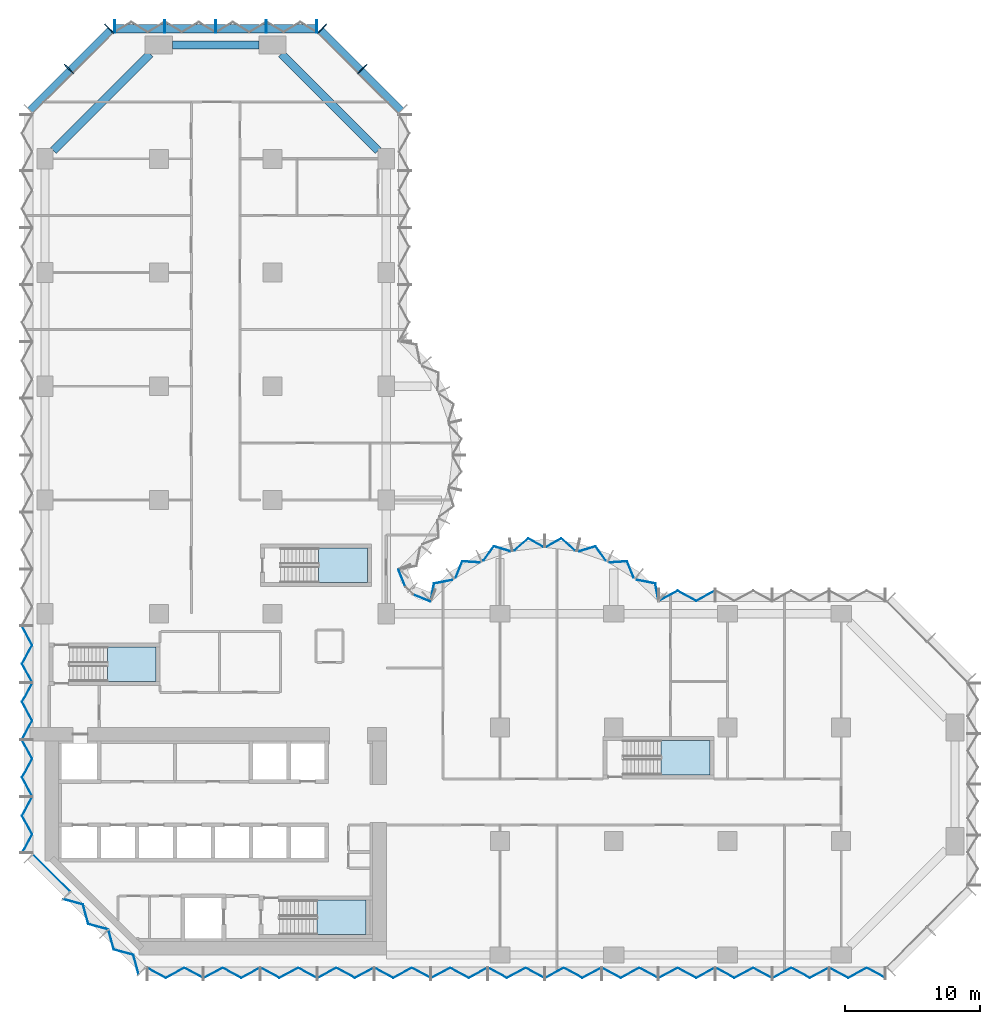
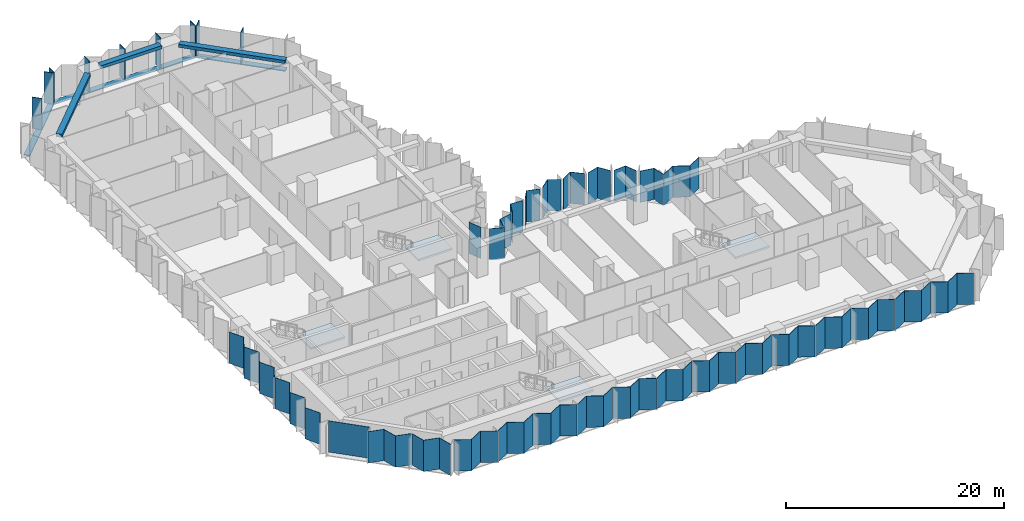
# One storey, part 5 of 15: 31 plates, 12 members, 4 slabs, 3 beams, 13 elements without a shape of their own.
"""IFC4 building model written with IfcOpenShell, lengths in metres."""

from ifc_helpers import new_model, si_unit, direction, frame, origin, origin_2d, place, context, subcontext, project, spatial, polyline, rectangle, outline, extrude, material, layer, layer_set, material_profile, profile_set, type_object, element, aggregate, save


model = new_model("IFC4")

# Units and contexts
model_context = context("Model", 3, precision=1e-05, world=origin(), true_north=direction((0.0, 1.0)))
body_context = subcontext(model_context, "Body", "Model", "MODEL_VIEW")
ifc_project = project(units=[si_unit("LENGTHUNIT", "METRE"), si_unit("AREAUNIT", "SQUARE_METRE"), si_unit("VOLUMEUNIT", "CUBIC_METRE"), si_unit("PLANEANGLEUNIT", "RADIAN"), si_unit("MASSUNIT", "GRAM", prefix="KILO")], contexts=[model_context])

# Site, building, storey
site_placement = place(None, origin())
site = spatial("IfcSite", under=ifc_project, at=site_placement, CompositionType="ELEMENT")
building_placement = place(site_placement, origin())
building = spatial("IfcBuilding", under=site, at=building_placement, Name="Brevane Broadcast Tower", CompositionType="ELEMENT")
storey_placement = place(building_placement, frame((0.0, 0.0, 68.89990234375)))
storey = spatial("IfcBuildingStorey", under=building, at=storey_placement, Name="L15", CompositionType="ELEMENT", Elevation=68.89990234375)

# Curtain wall, members
ifc_material_1 = material(Name="Aluminium 6063-T6 bronze anodised", Category="aluminium")
curtain_wall_type = type_object("IfcCurtainWallType", Name="CW-1 curtain wall", PredefinedType="NOTDEFINED", material=ifc_material_1)
curtain_wall_1_placement = place(storey_placement, origin())
curtain_wall_1 = element("IfcCurtainWall", 1, at=curtain_wall_1_placement, inside=storey, type_object=curtain_wall_type, Name="CW-1 typical tilted unit L15 north arm north-east chamfer", PredefinedType="NOTDEFINED")
ifc_material_profile_1 = material_profile(ifc_material_1, rectangle(XDim=0.949951171875, YDim=0.070068359375, at=origin_2d()), Name="RECT 70x950")
ifc_profile_set_1 = profile_set([ifc_material_profile_1], Name="Aluminium 6063-T6 bronze anodised")
member_type_1 = type_object("IfcMemberType", Name="CW-1 mullion 70x950", PredefinedType="MULLION", material=ifc_profile_set_1)
member_1_placement = place(storey_placement, frame((23.435791015625, 65.435791015625, -0.14990234375), z_axis=(0.0, 0.0, 1.0), x_axis=(-0.707106781187, -0.707106781187, 0.0)))
member_1 = element("IfcMember", 2, at=member_1_placement, type_object=member_type_1, Name="CW-1 mullion", PredefinedType="MULLION", context=body_context, shape_type="SweptSolid", body=[
    extrude(rectangle(XDim=0.949951171875, YDim=0.070068359375, at=origin_2d()), origin(), (0.0, 0.0, 1.0), 3.5),
])
member_2_placement = place(storey_placement, frame((20.460693359375, 68.4111328125, -0.14990234375), z_axis=(0.0, 0.0, 1.0), x_axis=(-0.707106781187, -0.707106781187, 0.0)))
member_2 = element("IfcMember", 3, at=member_2_placement, type_object=member_type_1, Name="CW-1 mullion", PredefinedType="MULLION", context=body_context, shape_type="SweptSolid", body=[
    extrude(rectangle(XDim=0.949951171875, YDim=0.070068359375, at=origin_2d()), origin(), (0.0, 0.0, 1.0), 3.5),
])

curtain_wall_2_placement = place(storey_placement, origin())
curtain_wall_2 = element("IfcCurtainWall", 4, at=curtain_wall_2_placement, inside=storey, type_object=curtain_wall_type, Name="CW-1 typical tilted unit L15 north end", PredefinedType="NOTDEFINED")
member_3_placement = place(storey_placement, frame((20.06494140625, 68.574951171875, -0.14990234375), z_axis=(0.0, 0.0, 1.0), x_axis=(0.0, -1.0, 0.0)))
member_3 = element("IfcMember", 5, at=member_3_placement, type_object=member_type_1, Name="CW-1 mullion", PredefinedType="MULLION", context=body_context, shape_type="SweptSolid", body=[
    extrude(rectangle(XDim=0.949951171875, YDim=0.070068359375, at=origin_2d()), origin(), (0.0, 0.0, 1.0), 3.5),
])
member_4_placement = place(storey_placement, frame((16.35009765625, 68.574951171875, -0.14990234375), z_axis=(0.0, 0.0, 1.0), x_axis=(0.0, -1.0, 0.0)))
member_4 = element("IfcMember", 6, at=member_4_placement, type_object=member_type_1, Name="CW-1 mullion", PredefinedType="MULLION", context=body_context, shape_type="SweptSolid", body=[
    extrude(rectangle(XDim=0.949951171875, YDim=0.070068359375, at=origin_2d()), origin(), (0.0, 0.0, 1.0), 3.5),
])
member_5_placement = place(storey_placement, frame((12.60009765625, 68.574951171875, -0.14990234375), z_axis=(0.0, 0.0, 1.0), x_axis=(0.0, -1.0, 0.0)))
member_5 = element("IfcMember", 7, at=member_5_placement, type_object=member_type_1, Name="CW-1 mullion", PredefinedType="MULLION", context=body_context, shape_type="SweptSolid", body=[
    extrude(rectangle(XDim=0.949951171875, YDim=0.070068359375, at=origin_2d()), origin(), (0.0, 0.0, 1.0), 3.5),
])
member_6_placement = place(storey_placement, frame((8.85009765625, 68.574951171875, -0.14990234375), z_axis=(0.0, 0.0, 1.0), x_axis=(0.0, -1.0, 0.0)))
member_6 = element("IfcMember", 8, at=member_6_placement, type_object=member_type_1, Name="CW-1 mullion", PredefinedType="MULLION", context=body_context, shape_type="SweptSolid", body=[
    extrude(rectangle(XDim=0.949951171875, YDim=0.070068359375, at=origin_2d()), origin(), (0.0, 0.0, 1.0), 3.5),
])
member_7_placement = place(storey_placement, frame((5.135009765625, 68.574951171875, -0.14990234375), z_axis=(0.0, 0.0, 1.0), x_axis=(0.0, -1.0, 0.0)))
member_7 = element("IfcMember", 9, at=member_7_placement, type_object=member_type_1, Name="CW-1 mullion", PredefinedType="MULLION", context=body_context, shape_type="SweptSolid", body=[
    extrude(rectangle(XDim=0.949951171875, YDim=0.070068359375, at=origin_2d()), origin(), (0.0, 0.0, 1.0), 3.5),
])

curtain_wall_3_placement = place(storey_placement, origin())
curtain_wall_3 = element("IfcCurtainWall", 10, at=curtain_wall_3_placement, inside=storey, type_object=curtain_wall_type, Name="CW-1 typical tilted unit L15 north-west chamfer", PredefinedType="NOTDEFINED")
member_8_placement = place(storey_placement, frame((4.7392578125, 68.4111328125, -0.14990234375), z_axis=(0.0, 0.0, 1.0), x_axis=(0.707106781187, -0.707106781187, 0.0)))
member_8 = element("IfcMember", 11, at=member_8_placement, type_object=member_type_1, Name="CW-1 mullion", PredefinedType="MULLION", context=body_context, shape_type="SweptSolid", body=[
    extrude(rectangle(XDim=0.949951171875, YDim=0.070068359375, at=origin_2d()), origin(), (0.0, 0.0, 1.0), 3.5),
])
member_9_placement = place(storey_placement, frame((1.76416015625, 65.435791015625, -0.14990234375), z_axis=(0.0, 0.0, 1.0), x_axis=(0.707106781187, -0.707106781187, 0.0)))
member_9 = element("IfcMember", 12, at=member_9_placement, type_object=member_type_1, Name="CW-1 mullion", PredefinedType="MULLION", context=body_context, shape_type="SweptSolid", body=[
    extrude(rectangle(XDim=0.949951171875, YDim=0.070068359375, at=origin_2d()), origin(), (0.0, 0.0, 1.0), 3.5),
])

# Member
ifc_material_profile_2 = material_profile(ifc_material_1, rectangle(XDim=0.60009765625, YDim=0.10009765625, at=origin_2d()), Name="RECT 100x600")
ifc_profile_set_2 = profile_set([ifc_material_profile_2], Name="Aluminium 6063-T6 bronze anodised")
member_type_2 = type_object("IfcMemberType", Name="CW-1 transom 100x600", PredefinedType="USERDEFINED", material=ifc_profile_set_2)
member_10_placement = place(storey_placement, frame((26.31201171875, 62.31201171875, -0.199951171875), z_axis=(-0.707106781187, 0.707106781187, 0.0), x_axis=(-0.707106781187, -0.707106781187, 0.0)))
member_10 = element("IfcMember", 13, at=member_10_placement, type_object=member_type_2, Name="CW-1 transom", ObjectType="TRANSOM", PredefinedType="USERDEFINED", context=body_context, shape_type="SweptSolid", body=[
    extrude(rectangle(XDim=0.60009765625, YDim=0.10009765625, at=origin_2d()), origin(), (0.0, 0.0, 1.0), 8.4853515625),
])

aggregate(curtain_wall_1, [member_1, member_2, member_10])

member_11_placement = place(storey_placement, frame((20.10009765625, 68.39990234375, -0.199951171875), z_axis=(-1.0, 0.0, 0.0), x_axis=(0.0, -1.0, 0.0)))
member_11 = element("IfcMember", 14, at=member_11_placement, type_object=member_type_2, Name="CW-1 transom", ObjectType="TRANSOM", PredefinedType="USERDEFINED", context=body_context, shape_type="SweptSolid", body=[
    extrude(rectangle(XDim=0.60009765625, YDim=0.10009765625, at=origin_2d()), origin(), (0.0, 0.0, 1.0), 15.0),
])

aggregate(curtain_wall_2, [member_3, member_4, member_5, member_6, member_7, member_11])

member_12_placement = place(storey_placement, frame((4.887939453125, 68.31201171875, -0.199951171875), z_axis=(-0.707106781187, -0.707106781187, 0.0), x_axis=(0.707106781187, -0.707106781187, 0.0)))
member_12 = element("IfcMember", 15, at=member_12_placement, type_object=member_type_2, Name="CW-1 transom", ObjectType="TRANSOM", PredefinedType="USERDEFINED", context=body_context, shape_type="SweptSolid", body=[
    extrude(rectangle(XDim=0.60009765625, YDim=0.10009765625, at=origin_2d()), origin(), (0.0, 0.0, 1.0), 8.4853515625),
])

aggregate(curtain_wall_3, [member_8, member_9, member_12])

# Beams
ifc_material_2 = material(Name="Concrete C40/50", Category="concrete")
ifc_material_profile_3 = material_profile(ifc_material_2, rectangle(XDim=0.60009765625, YDim=0.35009765625, at=origin_2d()), Name="RC 600x350")
ifc_profile_set_3 = profile_set([ifc_material_profile_3], Name="Concrete C40/50")
beam_type = type_object("IfcBeamType", Name="RC SPANDREL BEAM 600x350 C40/50", PredefinedType="SPANDREL", material=ifc_profile_set_3)
beam_1_placement = place(storey_placement, frame((24.60009765625, 59.39990234375, 3.175048828125), z_axis=(-0.707106781187, 0.707106781187, 0.0), x_axis=(-0.707106781187, -0.707106781187, 0.0)))
element("IfcBeam", 16, at=beam_1_placement, inside=storey, type_object=beam_type, Name="EB1 L15-16", PredefinedType="SPANDREL", context=body_context, shape_type="SweptSolid", body=[
    extrude(rectangle(XDim=0.60009765625, YDim=0.35009765625, at=origin_2d()), origin(), (0.0, 0.0, 1.0), 10.11181640625),
])
beam_2_placement = place(storey_placement, frame((15.800048828125, 67.199951171875, 3.175048828125), z_axis=(-1.0, 0.0, 0.0), x_axis=(0.0, -1.0, 0.0)))
element("IfcBeam", 17, at=beam_2_placement, inside=storey, type_object=beam_type, Name="EB1 L15-17", PredefinedType="SPANDREL", context=body_context, shape_type="SweptSolid", body=[
    extrude(rectangle(XDim=0.60009765625, YDim=0.35009765625, at=origin_2d()), origin(), (0.0, 0.0, 1.0), 6.400146484375),
])
beam_3_placement = place(storey_placement, frame((7.75, 66.550048828125, 3.175048828125), z_axis=(-0.707094708853, -0.707118853314, 0.0), x_axis=(0.707118853314, -0.707094708853, 0.0)))
element("IfcBeam", 18, at=beam_3_placement, inside=storey, type_object=beam_type, Name="EB1 L15-18", PredefinedType="SPANDREL", context=body_context, shape_type="SweptSolid", body=[
    extrude(rectangle(XDim=0.60009765625, YDim=0.35009765625, at=origin_2d()), origin(), (0.0, 0.0, 1.0), 10.111572265625),
])

# Curtain wall, plates
curtain_wall_4_placement = place(storey_placement, origin())
curtain_wall_4 = element("IfcCurtainWall", 19, at=curtain_wall_4_placement, inside=storey, type_object=curtain_wall_type, Name="CW-1 typical tilted unit L15 south face", PredefinedType="NOTDEFINED")
ifc_material_3 = material(Name="Laminated glass bronze-tinted", Category="glass")
ifc_layer_1 = layer(ifc_material_3, 0.0400390625)
ifc_layer_set_1 = layer_set([ifc_layer_1], Name="CW tall glass panel 40")
plate_type = type_object("IfcPlateType", Name="CW tall glass panel 40", PredefinedType="CURTAIN_PANEL", material=ifc_layer_set_1)
plate_1_placement = place(storey_placement, frame((0.0, 0.0, -0.14990234375)))
plate_1 = element("IfcPlate", 20, at=plate_1_placement, type_object=plate_type, Name="CW-1 glass panel", PredefinedType="CURTAIN_PANEL", context=body_context, shape_type="SweptSolid", body=[
    extrude(outline(polyline([(7.534912109375, -0.92724609375), (7.534912109375, -0.97265625), (8.91162109375, -1.717041015625), (10.288330078125, -0.97265625), (11.6650390625, -1.717041015625), (11.6650390625, -1.671630859375), (10.288330078125, -0.92724609375), (8.91162109375, -1.671630859375), (7.534912109375, -0.92724609375)])), origin(), (0.0, 0.0, 1.0), 3.5),
])
plate_2_placement = place(storey_placement, frame((0.0, 0.0, -0.14990234375)))
plate_2 = element("IfcPlate", 21, at=plate_2_placement, type_object=plate_type, Name="CW-1 glass panel", PredefinedType="CURTAIN_PANEL", context=body_context, shape_type="SweptSolid", body=[
    extrude(outline(polyline([(11.735107421875, -1.671630859375), (11.735107421875, -1.717041015625), (13.11181640625, -0.97265625), (14.48828125, -1.717041015625), (15.864990234375, -0.97265625), (15.864990234375, -0.92724609375), (14.48828125, -1.671630859375), (13.11181640625, -0.92724609375), (11.735107421875, -1.671630859375)])), origin(), (0.0, 0.0, 1.0), 3.5),
])
plate_3_placement = place(storey_placement, frame((0.0, 0.0, -0.14990234375)))
plate_3 = element("IfcPlate", 22, at=plate_3_placement, type_object=plate_type, Name="CW-1 glass panel", PredefinedType="CURTAIN_PANEL", context=body_context, shape_type="SweptSolid", body=[
    extrude(outline(polyline([(15.93505859375, -0.92724609375), (15.93505859375, -0.97265625), (17.311767578125, -1.717041015625), (18.688232421875, -0.97265625), (20.06494140625, -1.717041015625), (20.06494140625, -1.671630859375), (18.688232421875, -0.92724609375), (17.311767578125, -1.671630859375), (15.93505859375, -0.92724609375)])), origin(), (0.0, 0.0, 1.0), 3.5),
])
plate_4_placement = place(storey_placement, frame((0.0, 0.0, -0.14990234375)))
plate_4 = element("IfcPlate", 23, at=plate_4_placement, type_object=plate_type, Name="CW-1 glass panel", PredefinedType="CURTAIN_PANEL", context=body_context, shape_type="SweptSolid", body=[
    extrude(outline(polyline([(20.135009765625, -1.671630859375), (20.135009765625, -1.717041015625), (21.51171875, -0.97265625), (22.88818359375, -1.717041015625), (24.264892578125, -0.97265625), (24.264892578125, -0.92724609375), (22.88818359375, -1.671630859375), (21.51171875, -0.92724609375), (20.135009765625, -1.671630859375)])), origin(), (0.0, 0.0, 1.0), 3.5),
])
plate_5_placement = place(storey_placement, frame((0.0, 0.0, -0.14990234375)))
plate_5 = element("IfcPlate", 24, at=plate_5_placement, type_object=plate_type, Name="CW-1 glass panel", PredefinedType="CURTAIN_PANEL", context=body_context, shape_type="SweptSolid", body=[
    extrude(outline(polyline([(24.3349609375, -0.92724609375), (24.3349609375, -0.97265625), (25.711669921875, -1.717041015625), (27.08837890625, -0.97265625), (28.465087890625, -1.717041015625), (28.465087890625, -1.671630859375), (27.08837890625, -0.92724609375), (25.711669921875, -1.671630859375), (24.3349609375, -0.92724609375)])), origin(), (0.0, 0.0, 1.0), 3.5),
])
plate_6_placement = place(storey_placement, frame((0.0, 0.0, -0.14990234375)))
plate_6 = element("IfcPlate", 25, at=plate_6_placement, type_object=plate_type, Name="CW-1 glass panel", PredefinedType="CURTAIN_PANEL", context=body_context, shape_type="SweptSolid", body=[
    extrude(outline(polyline([(28.534912109375, -1.671630859375), (28.534912109375, -1.717041015625), (29.91162109375, -0.97265625), (31.288330078125, -1.717041015625), (32.6650390625, -0.97265625), (32.6650390625, -0.92724609375), (31.288330078125, -1.671630859375), (29.91162109375, -0.92724609375), (28.534912109375, -1.671630859375)])), origin(), (0.0, 0.0, 1.0), 3.5),
])
plate_7_placement = place(storey_placement, frame((0.0, 0.0, -0.14990234375)))
plate_7 = element("IfcPlate", 26, at=plate_7_placement, type_object=plate_type, Name="CW-1 glass panel", PredefinedType="CURTAIN_PANEL", context=body_context, shape_type="SweptSolid", body=[
    extrude(outline(polyline([(32.735107421875, -0.92724609375), (32.735107421875, -0.97265625), (34.11181640625, -1.717041015625), (35.48828125, -0.97265625), (36.864990234375, -1.717041015625), (36.864990234375, -1.671630859375), (35.48828125, -0.92724609375), (34.11181640625, -1.671630859375), (32.735107421875, -0.92724609375)])), origin(), (0.0, 0.0, 1.0), 3.5),
])
plate_8_placement = place(storey_placement, frame((0.0, 0.0, -0.14990234375)))
plate_8 = element("IfcPlate", 27, at=plate_8_placement, type_object=plate_type, Name="CW-1 glass panel", PredefinedType="CURTAIN_PANEL", context=body_context, shape_type="SweptSolid", body=[
    extrude(outline(polyline([(36.93505859375, -1.671630859375), (36.93505859375, -1.717041015625), (38.311767578125, -0.97265625), (39.688232421875, -1.717041015625), (41.06494140625, -0.97265625), (41.06494140625, -0.92724609375), (39.688232421875, -1.671630859375), (38.311767578125, -0.92724609375), (36.93505859375, -1.671630859375)])), origin(), (0.0, 0.0, 1.0), 3.5),
])
plate_9_placement = place(storey_placement, frame((0.0, 0.0, -0.14990234375)))
plate_9 = element("IfcPlate", 28, at=plate_9_placement, type_object=plate_type, Name="CW-1 glass panel", PredefinedType="CURTAIN_PANEL", context=body_context, shape_type="SweptSolid", body=[
    extrude(outline(polyline([(41.135009765625, -0.92724609375), (41.135009765625, -0.97265625), (42.51171875, -1.717041015625), (43.88818359375, -0.97265625), (45.264892578125, -1.717041015625), (45.264892578125, -1.671630859375), (43.88818359375, -0.92724609375), (42.51171875, -1.671630859375), (41.135009765625, -0.92724609375)])), origin(), (0.0, 0.0, 1.0), 3.5),
])
plate_10_placement = place(storey_placement, frame((0.0, 0.0, -0.14990234375)))
plate_10 = element("IfcPlate", 29, at=plate_10_placement, type_object=plate_type, Name="CW-1 glass panel", PredefinedType="CURTAIN_PANEL", context=body_context, shape_type="SweptSolid", body=[
    extrude(outline(polyline([(45.3349609375, -1.671630859375), (45.3349609375, -1.717041015625), (46.711669921875, -0.97265625), (48.08837890625, -1.717041015625), (49.465087890625, -0.97265625), (49.465087890625, -0.92724609375), (48.08837890625, -1.671630859375), (46.711669921875, -0.92724609375), (45.3349609375, -1.671630859375)])), origin(), (0.0, 0.0, 1.0), 3.5),
])
plate_11_placement = place(storey_placement, frame((0.0, 0.0, -0.14990234375)))
plate_11 = element("IfcPlate", 30, at=plate_11_placement, type_object=plate_type, Name="CW-1 glass panel", PredefinedType="CURTAIN_PANEL", context=body_context, shape_type="SweptSolid", body=[
    extrude(outline(polyline([(49.534912109375, -0.92724609375), (49.534912109375, -0.97265625), (50.91162109375, -1.717041015625), (52.288330078125, -0.97265625), (53.6650390625, -1.717041015625), (53.6650390625, -1.671630859375), (52.288330078125, -0.92724609375), (50.91162109375, -1.671630859375), (49.534912109375, -0.92724609375)])), origin(), (0.0, 0.0, 1.0), 3.5),
])
plate_12_placement = place(storey_placement, frame((0.0, 0.0, -0.14990234375)))
plate_12 = element("IfcPlate", 31, at=plate_12_placement, type_object=plate_type, Name="CW-1 glass panel", PredefinedType="CURTAIN_PANEL", context=body_context, shape_type="SweptSolid", body=[
    extrude(outline(polyline([(53.735107421875, -1.671630859375), (53.735107421875, -1.717041015625), (55.11181640625, -0.97265625), (56.48828125, -1.717041015625), (57.864990234375, -0.97265625), (57.864990234375, -0.92724609375), (56.48828125, -1.671630859375), (55.11181640625, -0.92724609375), (53.735107421875, -1.671630859375)])), origin(), (0.0, 0.0, 1.0), 3.5),
])
plate_13_placement = place(storey_placement, frame((0.0, 0.0, -0.14990234375)))
plate_13 = element("IfcPlate", 32, at=plate_13_placement, type_object=plate_type, Name="CW-1 glass panel", PredefinedType="CURTAIN_PANEL", context=body_context, shape_type="SweptSolid", body=[
    extrude(outline(polyline([(57.93505859375, -0.92724609375), (57.93505859375, -0.97265625), (59.311767578125, -1.717041015625), (60.688232421875, -0.97265625), (62.06494140625, -1.717041015625), (62.06494140625, -1.671630859375), (60.688232421875, -0.92724609375), (59.311767578125, -1.671630859375), (57.93505859375, -0.92724609375)])), origin(), (0.0, 0.0, 1.0), 3.5),
])
aggregate(curtain_wall_4, [plate_1, plate_2, plate_3, plate_4, plate_5, plate_6, plate_7, plate_8, plate_9, plate_10, plate_11, plate_12, plate_13])

# Curtain wall, plate
curtain_wall_5_placement = place(storey_placement, origin())
curtain_wall_5 = element("IfcCurtainWall", 33, at=curtain_wall_5_placement, inside=storey, type_object=curtain_wall_type, Name="CW-1 typical tilted unit L15 east arm north face", PredefinedType="NOTDEFINED")
plate_14_placement = place(storey_placement, frame((0.0, 0.0, -0.14990234375)))
plate_14 = element("IfcPlate", 34, at=plate_14_placement, type_object=plate_type, Name="CW-1 glass panel", PredefinedType="CURTAIN_PANEL", context=body_context, shape_type="SweptSolid", body=[
    extrude(outline(polyline([(49.465087890625, 26.87158203125), (49.465087890625, 26.9169921875), (48.08837890625, 26.172607421875), (46.711669921875, 26.9169921875), (45.3349609375, 26.172607421875), (45.3349609375, 26.127197265625), (46.711669921875, 26.87158203125), (48.08837890625, 26.127197265625), (49.465087890625, 26.87158203125)])), origin(), (0.0, 0.0, 1.0), 3.5),
])
aggregate(curtain_wall_5, [plate_14])

# Curtain wall, plates
curtain_wall_6_placement = place(storey_placement, origin())
curtain_wall_6 = element("IfcCurtainWall", 35, at=curtain_wall_6_placement, inside=storey, type_object=curtain_wall_type, Name="CW-1 typical tilted unit L15 east bow", PredefinedType="NOTDEFINED")
plate_15_placement = place(storey_placement, frame((0.0, 0.0, -0.14990234375)))
plate_15 = element("IfcPlate", 36, at=plate_15_placement, type_object=plate_type, Name="CW-1 glass panel", PredefinedType="CURTAIN_PANEL", context=body_context, shape_type="SweptSolid", body=[
    extrude(outline(polyline([(45.2939453125, 26.14404296875), (45.327880859375, 26.17919921875), (45.086181640625, 27.447265625), (43.738525390625, 27.71142578125), (43.7109375, 27.67626953125), (45.052001953125, 27.4130859375), (45.2939453125, 26.14404296875)])), origin(), (0.0, 0.0, 1.0), 3.5),
])
plate_16_placement = place(storey_placement, frame((0.0, 0.0, -0.14990234375)))
plate_16 = element("IfcPlate", 37, at=plate_16_placement, type_object=plate_type, Name="CW-1 glass panel", PredefinedType="CURTAIN_PANEL", context=body_context, shape_type="SweptSolid", body=[
    extrude(outline(polyline([(43.45703125, 27.8759765625), (43.4853515625, 27.912109375), (43.00390625, 29.089111328125), (41.710693359375, 29.006591796875), (41.69091796875, 28.96533203125), (42.977783203125, 29.04736328125), (43.45703125, 27.8759765625)])), origin(), (0.0, 0.0, 1.0), 3.5),
])
plate_17_placement = place(storey_placement, frame((0.0, 0.0, -0.14990234375)))
plate_17 = element("IfcPlate", 38, at=plate_17_placement, type_object=plate_type, Name="CW-1 glass panel", PredefinedType="CURTAIN_PANEL", context=body_context, shape_type="SweptSolid", body=[
    extrude(outline(polyline([(41.3994140625, 29.104248046875), (41.4189453125, 29.1455078125), (40.667724609375, 30.20166015625), (39.45068359375, 29.83349609375), (39.440185546875, 29.78857421875), (40.65185546875, 30.155029296875), (41.3994140625, 29.104248046875)])), origin(), (0.0, 0.0, 1.0), 3.5),
])
plate_18_placement = place(storey_placement, frame((0.0, 0.0, -0.14990234375)))
plate_18 = element("IfcPlate", 39, at=plate_18_placement, type_object=plate_type, Name="CW-1 glass panel", PredefinedType="CURTAIN_PANEL", context=body_context, shape_type="SweptSolid", body=[
    extrude(outline(polyline([(39.125, 29.859619140625), (39.13525390625, 29.903564453125), (38.116943359375, 30.779296875), (37.008056640625, 30.15869140625), (37.008056640625, 30.11279296875), (38.112060546875, 30.730712890625), (39.125, 29.859619140625)])), origin(), (0.0, 0.0, 1.0), 3.5),
])
plate_19_placement = place(storey_placement, frame((0.0, 0.0, -0.14990234375)))
plate_19 = element("IfcPlate", 40, at=plate_19_placement, type_object=plate_type, Name="CW-1 glass panel", PredefinedType="CURTAIN_PANEL", context=body_context, shape_type="SweptSolid", body=[
    extrude(outline(polyline([(36.7919921875, 30.11279296875), (36.7919921875, 30.15869140625), (35.68310546875, 30.779296875), (34.664794921875, 29.903564453125), (34.6748046875, 29.859619140625), (35.68798828125, 30.730712890625), (36.7919921875, 30.11279296875)])), origin(), (0.0, 0.0, 1.0), 3.5),
])
plate_20_placement = place(storey_placement, frame((0.0, 0.0, -0.14990234375)))
plate_20 = element("IfcPlate", 41, at=plate_20_placement, type_object=plate_type, Name="CW-1 glass panel", PredefinedType="CURTAIN_PANEL", context=body_context, shape_type="SweptSolid", body=[
    extrude(outline(polyline([(34.359619140625, 29.78857421875), (34.349365234375, 29.83349609375), (33.132080078125, 30.20166015625), (32.381103515625, 29.1455078125), (32.400634765625, 29.104248046875), (33.148193359375, 30.155029296875), (34.359619140625, 29.78857421875)])), origin(), (0.0, 0.0, 1.0), 3.5),
])
plate_21_placement = place(storey_placement, frame((0.0, 0.0, -0.14990234375)))
plate_21 = element("IfcPlate", 42, at=plate_21_placement, type_object=plate_type, Name="CW-1 glass panel", PredefinedType="CURTAIN_PANEL", context=body_context, shape_type="SweptSolid", body=[
    extrude(outline(polyline([(32.10888671875, 28.96533203125), (32.08935546875, 29.006591796875), (30.7958984375, 29.089111328125), (30.314697265625, 27.912109375), (30.343017578125, 27.8759765625), (30.822265625, 29.04736328125), (32.10888671875, 28.96533203125)])), origin(), (0.0, 0.0, 1.0), 3.5),
])
plate_22_placement = place(storey_placement, frame((0.0, 0.0, -0.14990234375)))
plate_22 = element("IfcPlate", 43, at=plate_22_placement, type_object=plate_type, Name="CW-1 glass panel", PredefinedType="CURTAIN_PANEL", context=body_context, shape_type="SweptSolid", body=[
    extrude(outline(polyline([(30.089111328125, 27.67626953125), (30.0615234375, 27.71142578125), (28.7138671875, 27.447265625), (28.471923828125, 26.17919921875), (28.506103515625, 26.14404296875), (28.748046875, 27.4130859375), (30.089111328125, 27.67626953125)])), origin(), (0.0, 0.0, 1.0), 3.5),
])
aggregate(curtain_wall_6, [plate_15, plate_16, plate_17, plate_18, plate_19, plate_20, plate_21, plate_22])

curtain_wall_7_placement = place(storey_placement, origin())
curtain_wall_7 = element("IfcCurtainWall", 44, at=curtain_wall_7_placement, inside=storey, type_object=curtain_wall_type, Name="CW-1 typical tilted unit L15 inner corner", PredefinedType="NOTDEFINED")
plate_23_placement = place(storey_placement, frame((0.0, 0.0, -0.14990234375)))
plate_23 = element("IfcPlate", 45, at=plate_23_placement, type_object=plate_type, Name="CW-1 glass panel", PredefinedType="CURTAIN_PANEL", context=body_context, shape_type="SweptSolid", body=[
    extrude(outline(polyline([(28.45166015625, 26.07470703125), (28.466796875, 26.111572265625), (27.2021484375, 26.635498046875), (27.17138671875, 26.60498046875), (28.45166015625, 26.07470703125)])), origin(), (0.0, 0.0, 1.0), 3.5),
])
plate_24_placement = place(storey_placement, frame((0.0, 0.0, -0.14990234375)))
plate_24 = element("IfcPlate", 46, at=plate_24_placement, type_object=plate_type, Name="CW-1 glass panel", PredefinedType="CURTAIN_PANEL", context=body_context, shape_type="SweptSolid", body=[
    extrude(outline(polyline([(26.60498046875, 27.17138671875), (26.635498046875, 27.2021484375), (26.111572265625, 28.466796875), (26.07470703125, 28.45166015625), (26.60498046875, 27.17138671875)])), origin(), (0.0, 0.0, 1.0), 3.5),
])
aggregate(curtain_wall_7, [plate_23, plate_24])

curtain_wall_8_placement = place(storey_placement, origin())
curtain_wall_8 = element("IfcCurtainWall", 47, at=curtain_wall_8_placement, inside=storey, type_object=curtain_wall_type, Name="CW-1 typical tilted unit L15 west face", PredefinedType="NOTDEFINED")
plate_25_placement = place(storey_placement, frame((0.0, 0.0, -0.14990234375)))
plate_25 = element("IfcPlate", 48, at=plate_25_placement, type_object=plate_type, Name="CW-1 glass panel", PredefinedType="CURTAIN_PANEL", context=body_context, shape_type="SweptSolid", body=[
    extrude(outline(polyline([(-1.671630859375, 24.264892578125), (-1.717041015625, 24.264892578125), (-0.97265625, 22.88818359375), (-1.717041015625, 21.51171875), (-0.97265625, 20.135009765625), (-0.92724609375, 20.135009765625), (-1.671630859375, 21.51171875), (-0.92724609375, 22.88818359375), (-1.671630859375, 24.264892578125)])), origin(), (0.0, 0.0, 1.0), 3.5),
])
plate_26_placement = place(storey_placement, frame((0.0, 0.0, -0.14990234375)))
plate_26 = element("IfcPlate", 49, at=plate_26_placement, type_object=plate_type, Name="CW-1 glass panel", PredefinedType="CURTAIN_PANEL", context=body_context, shape_type="SweptSolid", body=[
    extrude(outline(polyline([(-0.92724609375, 20.06494140625), (-0.97265625, 20.06494140625), (-1.717041015625, 18.688232421875), (-0.97265625, 17.311767578125), (-1.717041015625, 15.93505859375), (-1.671630859375, 15.93505859375), (-0.92724609375, 17.311767578125), (-1.671630859375, 18.688232421875), (-0.92724609375, 20.06494140625)])), origin(), (0.0, 0.0, 1.0), 3.5),
])
plate_27_placement = place(storey_placement, frame((0.0, 0.0, -0.14990234375)))
plate_27 = element("IfcPlate", 50, at=plate_27_placement, type_object=plate_type, Name="CW-1 glass panel", PredefinedType="CURTAIN_PANEL", context=body_context, shape_type="SweptSolid", body=[
    extrude(outline(polyline([(-1.671630859375, 15.864990234375), (-1.717041015625, 15.864990234375), (-0.97265625, 14.48828125), (-1.717041015625, 13.11181640625), (-0.97265625, 11.735107421875), (-0.92724609375, 11.735107421875), (-1.671630859375, 13.11181640625), (-0.92724609375, 14.48828125), (-1.671630859375, 15.864990234375)])), origin(), (0.0, 0.0, 1.0), 3.5),
])
plate_28_placement = place(storey_placement, frame((0.0, 0.0, -0.14990234375)))
plate_28 = element("IfcPlate", 51, at=plate_28_placement, type_object=plate_type, Name="CW-1 glass panel", PredefinedType="CURTAIN_PANEL", context=body_context, shape_type="SweptSolid", body=[
    extrude(outline(polyline([(-0.92724609375, 11.6650390625), (-0.97265625, 11.6650390625), (-1.717041015625, 10.288330078125), (-0.97265625, 8.91162109375), (-1.717041015625, 7.534912109375), (-1.671630859375, 7.534912109375), (-0.92724609375, 8.91162109375), (-1.671630859375, 10.288330078125), (-0.92724609375, 11.6650390625)])), origin(), (0.0, 0.0, 1.0), 3.5),
])
aggregate(curtain_wall_8, [plate_25, plate_26, plate_27, plate_28])

curtain_wall_9_placement = place(storey_placement, origin())
curtain_wall_9 = element("IfcCurtainWall", 52, at=curtain_wall_9_placement, inside=storey, type_object=curtain_wall_type, Name="CW-1 typical tilted unit L15 south-west chamfer", PredefinedType="NOTDEFINED")
plate_29_placement = place(storey_placement, frame((0.0, 0.0, -0.14990234375)))
plate_29 = element("IfcPlate", 53, at=plate_29_placement, type_object=plate_type, Name="CW-1 glass panel", PredefinedType="CURTAIN_PANEL", context=body_context, shape_type="SweptSolid", body=[
    extrude(outline(polyline([(-0.896484375, 7.4541015625), (1.85400390625, 4.70361328125), (1.82568359375, 4.67529296875), (-0.9248046875, 7.42578125), (-0.896484375, 7.4541015625)])), origin(), (0.0, 0.0, 1.0), 3.5),
])
plate_30_placement = place(storey_placement, frame((0.0, 0.0, -0.14990234375)))
plate_30 = element("IfcPlate", 54, at=plate_30_placement, type_object=plate_type, Name="CW-1 glass panel", PredefinedType="CURTAIN_PANEL", context=body_context, shape_type="SweptSolid", body=[
    extrude(outline(polyline([(1.37939453125, 4.1298828125), (1.3466796875, 4.09716796875), (2.789794921875, 3.706787109375), (3.180419921875, 2.263671875), (4.62353515625, 1.873046875), (4.65625, 1.90576171875), (3.212890625, 2.296142578125), (2.822509765625, 3.739501953125), (1.37939453125, 4.1298828125)])), origin(), (0.0, 0.0, 1.0), 3.5),
])
plate_31_placement = place(storey_placement, frame((0.0, 0.0, -0.14990234375)))
plate_31 = element("IfcPlate", 55, at=plate_31_placement, type_object=plate_type, Name="CW-1 glass panel", PredefinedType="CURTAIN_PANEL", context=body_context, shape_type="SweptSolid", body=[
    extrude(outline(polyline([(4.705810546875, 1.856201171875), (4.673095703125, 1.823486328125), (5.063720703125, 0.38037109375), (6.5068359375, -0.010009765625), (6.897216796875, -1.453369140625), (6.9296875, -1.420654296875), (6.539306640625, 0.0224609375), (5.09619140625, 0.4130859375), (4.705810546875, 1.856201171875)])), origin(), (0.0, 0.0, 1.0), 3.5),
])
aggregate(curtain_wall_9, [plate_29, plate_30, plate_31])

# Stair, slab
ifc_material_4 = material(Name="Concrete C50/60", Category="concrete")
stair_type = type_object("IfcStairType", Name="Exit stair 22 risers", PredefinedType="HALF_TURN_STAIR", material=ifc_material_4)
stair_1_placement = place(storey_placement, origin())
stair_1 = element("IfcStair", 56, at=stair_1_placement, inside=storey, type_object=stair_type, Name="L15 Exit stair ST-1", PredefinedType="HALF_TURN_STAIR")
ifc_layer_2 = layer(ifc_material_4, 0.199951171875)
ifc_layer_set_2 = layer_set([ifc_layer_2], Name="Exit stair landing")
slab_type = type_object("IfcSlabType", Name="Exit stair landing", PredefinedType="LANDING", material=ifc_layer_set_2)
slab_1_placement = place(storey_placement, frame((0.0, 0.0, 1.60009765625)))
slab_1 = element("IfcSlab", 57, at=slab_1_placement, type_object=slab_type, Name="ST-1 landing 1", PredefinedType="LANDING", context=body_context, shape_type="SweptSolid", body=[
    extrude(outline(polyline([(4.60009765625, 20.199951171875), (8.199951171875, 20.199951171875), (8.199951171875, 22.75), (4.60009765625, 22.75), (4.60009765625, 20.199951171875)])), origin(), (0.0, 0.0, 1.0), 0.199951171875),
])
aggregate(stair_1, [slab_1])

stair_2_placement = place(storey_placement, origin())
stair_2 = element("IfcStair", 58, at=stair_2_placement, inside=storey, type_object=stair_type, Name="L15 Exit stair ST-2", PredefinedType="HALF_TURN_STAIR")
slab_2_placement = place(storey_placement, frame((0.0, 0.0, 1.60009765625)))
slab_2 = element("IfcSlab", 59, at=slab_2_placement, type_object=slab_type, Name="ST-2 landing 1", PredefinedType="LANDING", context=body_context, shape_type="SweptSolid", body=[
    extrude(outline(polyline([(20.10009765625, 1.5), (23.699951171875, 1.5), (23.699951171875, 4.050048828125), (20.10009765625, 4.050048828125), (20.10009765625, 1.5)])), origin(), (0.0, 0.0, 1.0), 0.199951171875),
])
aggregate(stair_2, [slab_2])

stair_3_placement = place(storey_placement, origin())
stair_3 = element("IfcStair", 60, at=stair_3_placement, inside=storey, type_object=stair_type, Name="L15 Exit stair ST-3", PredefinedType="HALF_TURN_STAIR")
slab_3_placement = place(storey_placement, frame((0.0, 0.0, 1.60009765625)))
slab_3 = element("IfcSlab", 61, at=slab_3_placement, type_object=slab_type, Name="ST-3 landing 1", PredefinedType="LANDING", context=body_context, shape_type="SweptSolid", body=[
    extrude(outline(polyline([(20.199951171875, 27.5), (23.800048828125, 27.5), (23.800048828125, 30.050048828125), (20.199951171875, 30.050048828125), (20.199951171875, 27.5)])), origin(), (0.0, 0.0, 1.0), 0.199951171875),
])
aggregate(stair_3, [slab_3])

stair_4_placement = place(storey_placement, origin())
stair_4 = element("IfcStair", 62, at=stair_4_placement, inside=storey, type_object=stair_type, Name="L15 Exit stair ST-4", PredefinedType="HALF_TURN_STAIR")
slab_4_placement = place(storey_placement, frame((0.0, 0.0, 1.60009765625)))
slab_4 = element("IfcSlab", 63, at=slab_4_placement, type_object=slab_type, Name="ST-4 landing 1", PredefinedType="LANDING", context=body_context, shape_type="SweptSolid", body=[
    extrude(outline(polyline([(45.5, 13.300048828125), (49.10009765625, 13.300048828125), (49.10009765625, 15.85009765625), (45.5, 15.85009765625), (45.5, 13.300048828125)])), origin(), (0.0, 0.0, 1.0), 0.199951171875),
])
aggregate(stair_4, [slab_4])

save(model, "model.ifc")
